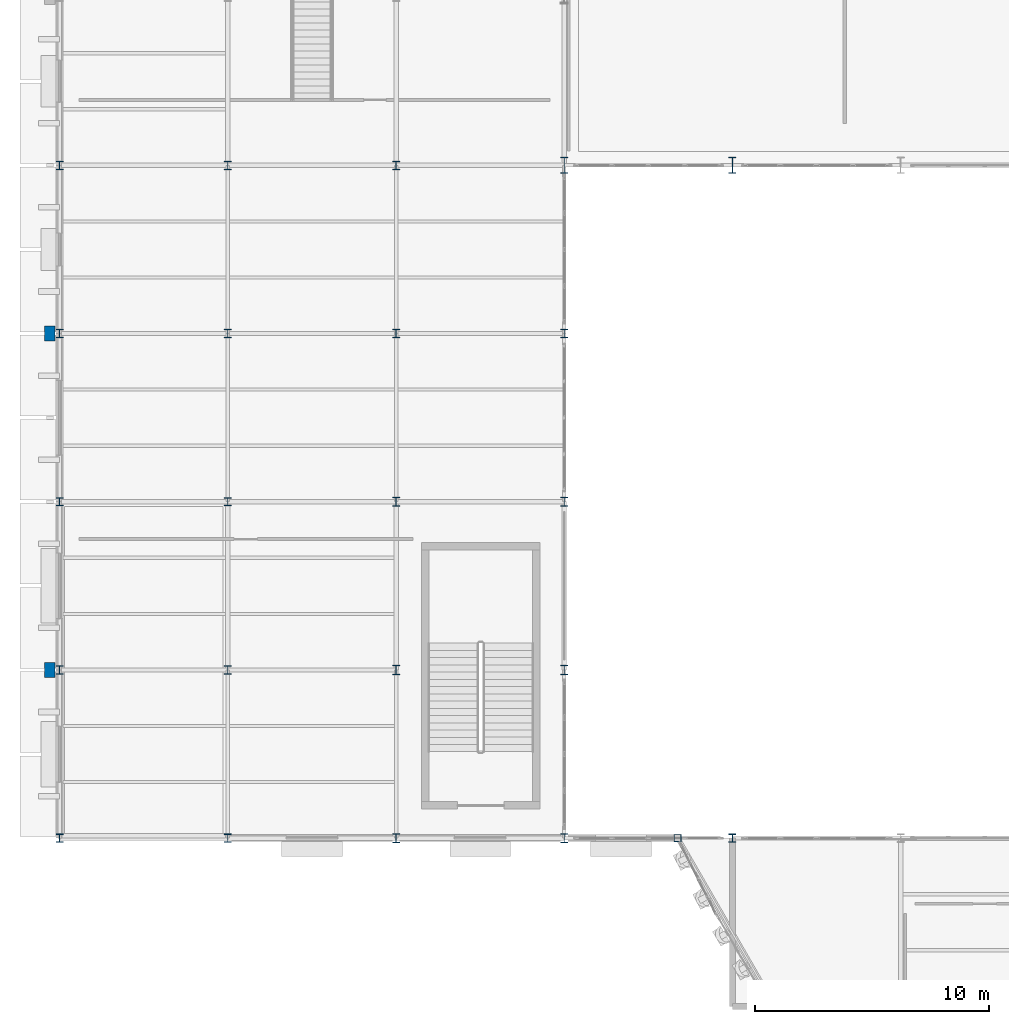
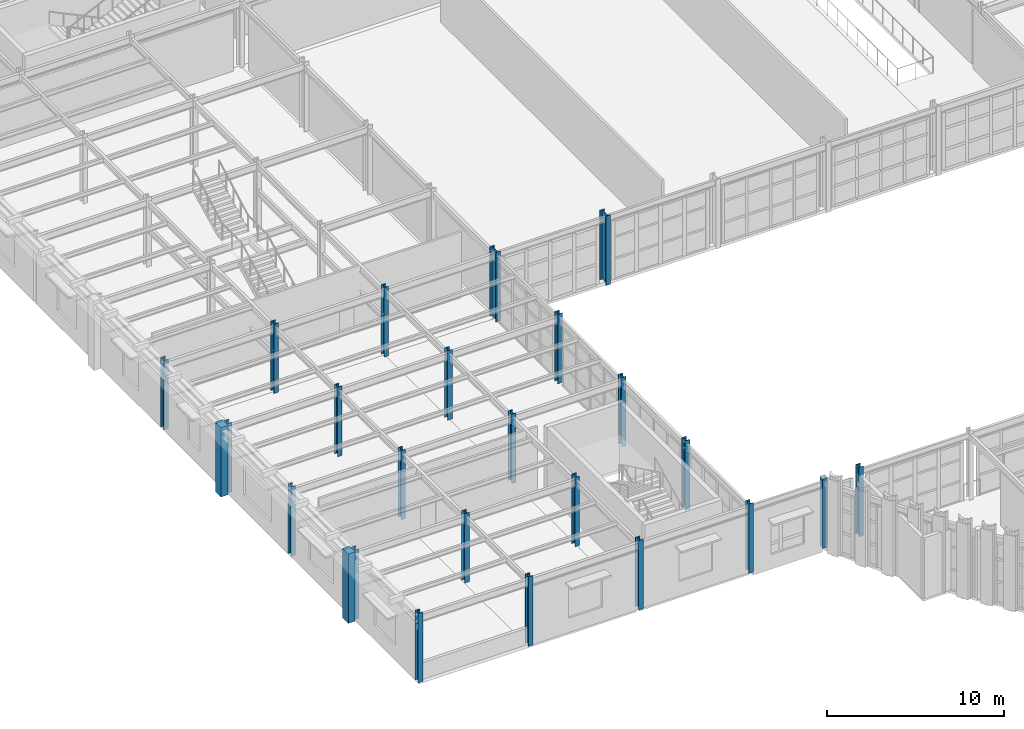
# One storey, part 2 of 126: 25 columns.
"""IFC4 building model written with IfcOpenShell, lengths in metres."""

from ifc_helpers import new_model, si_unit, direction, frame, origin, origin_2d, place, context, subcontext, project, spatial, rectangle, hollow_rectangle, i_section, extrude, material, material_profile, profile_set, type_object, element, save


model = new_model("IFC4")

# Units and contexts
model_context = context("Model", 3, precision=1e-05, world=origin(), true_north=direction((0.0, 1.0)))
body_context = subcontext(model_context, "Body", "Model", "MODEL_VIEW")
ifc_project = project(units=[si_unit("LENGTHUNIT", "METRE"), si_unit("AREAUNIT", "SQUARE_METRE"), si_unit("VOLUMEUNIT", "CUBIC_METRE"), si_unit("PLANEANGLEUNIT", "RADIAN"), si_unit("MASSUNIT", "GRAM", prefix="KILO")], contexts=[model_context])

# Site, building, storey
site_placement = place(None, origin())
site = spatial("IfcSite", under=ifc_project, at=site_placement, CompositionType="ELEMENT")
building_placement = place(site_placement, origin())
building = spatial("IfcBuilding", under=site, at=building_placement, Name="Solvadek Multi-Sports Hall", CompositionType="ELEMENT")
storey_placement = place(building_placement, frame((0.0, 0.0, 9.60009765625)))
storey = spatial("IfcBuildingStorey", under=building, at=storey_placement, Name="L02", CompositionType="ELEMENT", Elevation=9.60009765625)

# Columns
ifc_material_1 = material(Name="Steel E350 (350 MPa)", Category="steel")
ifc_material_profile_1 = material_profile(ifc_material_1, hollow_rectangle(XDim=0.300048828125, YDim=0.300048828125, WallThickness=0.012451171875, at=origin_2d()), Name="SHS 300x300x12.5")
ifc_profile_set_1 = profile_set([ifc_material_profile_1], Name="Steel E350 (350 MPa)")
column_type_1 = type_object("IfcColumnType", Name="STR-COL-SHS300", PredefinedType="COLUMN", material=ifc_profile_set_1)
column_placement = place(storey_placement, frame((26.45458984375, 20.39990234375, 0.0), z_axis=(0.0, 0.0, 1.0), x_axis=(1.0, 0.0, 0.0)))
element("IfcColumn", 1, at=column_placement, inside=storey, type_object=column_type_1, Name="L02 Column C-10 #266", PredefinedType="COLUMN", context=body_context, shape_type="SweptSolid", body=[
    extrude(hollow_rectangle(XDim=0.300048828125, YDim=0.300048828125, WallThickness=0.012451171875, at=origin_2d()), origin(), (0.0, 0.0, 1.0), 4.7998046875),
])
ifc_material_profile_2 = material_profile(ifc_material_1, i_section(OverallWidth=0.300048828125, OverallDepth=0.360107421875, WebThickness=0.012451171875, FlangeThickness=0.0224609375, at=origin_2d()), Name="WPB 360")
ifc_profile_set_2 = profile_set([ifc_material_profile_2], Name="Steel E350 (350 MPa)")
column_type_2 = type_object("IfcColumnType", Name="STR-COL-WPB360", PredefinedType="COLUMN", material=ifc_profile_set_2)
for number, where, z_axis, x_axis, name in (
    (2, (0.0, 20.39990234375, 0.0), (0.0, 0.0, 1.0), (1.0, 0.0, 0.0), "L02 Column C-08 #1"),
    (3, (0.0, 27.60009765625, 0.0), (0.0, 0.0, 1.0), (1.0, 0.0, 0.0), "L02 Column C-08 #2"),
    (4, (0.0, 34.800048828125, 0.0), (0.0, 0.0, 1.0), (1.0, 0.0, 0.0), "L02 Column C-08 #3"),
    (5, (0.0, 42.0, 0.0), (0.0, 0.0, 1.0), (1.0, 0.0, 0.0), "L02 Column C-08 #4"),
    (6, (0.0, 49.199951171875, 0.0), (0.0, 0.0, 1.0), (1.0, 0.0, 0.0), "L02 Column C-08 #5"),
    (7, (7.199951171875, 20.39990234375, 0.0), (0.0, 0.0, 1.0), (1.0, 0.0, 0.0), "L02 Column C-08 #14"),
    (8, (7.199951171875, 27.60009765625, 0.0), (0.0, 0.0, 1.0), (1.0, 0.0, 0.0), "L02 Column C-08 #15"),
    (9, (7.199951171875, 34.800048828125, 0.0), (0.0, 0.0, 1.0), (1.0, 0.0, 0.0), "L02 Column C-08 #16"),
    (10, (7.199951171875, 42.0, 0.0), (0.0, 0.0, 1.0), (1.0, 0.0, 0.0), "L02 Column C-08 #17"),
    (11, (7.199951171875, 49.199951171875, 0.0), (0.0, 0.0, 1.0), (1.0, 0.0, 0.0), "L02 Column C-08 #18"),
    (12, (14.39990234375, 42.0, 0.0), (0.0, 0.0, 1.0), (1.0, 0.0, 0.0), "L02 Column C-08 #30"),
    (13, (14.39990234375, 49.199951171875, 0.0), (0.0, 0.0, 1.0), (1.0, 0.0, 0.0), "L02 Column C-08 #31"),
    (14, (21.60009765625, 42.0, 0.0), (0.0, 0.0, 1.0), (1.0, 0.0, 0.0), "L02 Column C-08 #43"),
    (15, (28.800048828125, 20.39990234375, 0.0), (0.0, 0.0, 1.0), (1.0, 0.0, 0.0), "L02 Column C-08 #53"),
):
    element("IfcColumn", number, at=place(storey_placement, frame(where, z_axis=z_axis, x_axis=x_axis)), inside=storey, type_object=column_type_2, Name=name, PredefinedType="COLUMN", context=body_context, shape_type="SweptSolid", body=[
        extrude(i_section(OverallWidth=0.300048828125, OverallDepth=0.360107421875, WebThickness=0.012451171875, FlangeThickness=0.0224609375, at=origin_2d()), origin(), (0.0, 0.0, 1.0), 4.7998046875),
    ])
ifc_material_profile_3 = material_profile(ifc_material_1, i_section(OverallWidth=0.300048828125, OverallDepth=0.39990234375, WebThickness=0.013427734375, FlangeThickness=0.02392578125, at=origin_2d()), Name="WPB 400")
ifc_profile_set_3 = profile_set([ifc_material_profile_3], Name="Steel E350 (350 MPa)")
column_type_3 = type_object("IfcColumnType", Name="STR-COL-WPB400", PredefinedType="COLUMN", material=ifc_profile_set_3)
for number, where, z_axis, x_axis, name in (
    (16, (14.39990234375, 20.39990234375, 0.0), (0.0, 0.0, 1.0), (1.0, 0.0, 0.0), "L02 Column C-07 #27"),
    (17, (14.39990234375, 27.60009765625, 0.0), (0.0, 0.0, 1.0), (1.0, 0.0, 0.0), "L02 Column C-07 #28"),
    (18, (14.39990234375, 34.800048828125, 0.0), (0.0, 0.0, 1.0), (1.0, 0.0, 0.0), "L02 Column C-07 #29"),
    (19, (21.60009765625, 20.39990234375, 0.0), (0.0, 0.0, 1.0), (1.0, 0.0, 0.0), "L02 Column C-07 #40"),
    (20, (21.60009765625, 27.60009765625, 0.0), (0.0, 0.0, 1.0), (1.0, 0.0, 0.0), "L02 Column C-07 #41"),
    (21, (21.60009765625, 34.800048828125, 0.0), (0.0, 0.0, 1.0), (1.0, 0.0, 0.0), "L02 Column C-07 #42"),
):
    element("IfcColumn", number, at=place(storey_placement, frame(where, z_axis=z_axis, x_axis=x_axis)), inside=storey, type_object=column_type_3, Name=name, PredefinedType="COLUMN", context=body_context, shape_type="SweptSolid", body=[
        extrude(i_section(OverallWidth=0.300048828125, OverallDepth=0.39990234375, WebThickness=0.013427734375, FlangeThickness=0.02392578125, at=origin_2d()), origin(), (0.0, 0.0, 1.0), 4.7998046875),
    ])
ifc_material_profile_4 = material_profile(ifc_material_1, i_section(OverallWidth=0.300048828125, OverallDepth=0.699951171875, WebThickness=0.01708984375, FlangeThickness=0.031982421875, at=origin_2d()), Name="WPB 700")
ifc_profile_set_4 = profile_set([ifc_material_profile_4], Name="Steel E350 (350 MPa)")
column_type_4 = type_object("IfcColumnType", Name="STR-COL-WPB700", PredefinedType="COLUMN", material=ifc_profile_set_4)
for number, where, z_axis, x_axis, name in (
    (22, (21.60009765625, 49.199951171875, 0.0), (0.0, 0.0, 1.0), (1.0, 0.0, 0.0), "L02 Column C-02 #44"),
    (23, (28.800048828125, 49.199951171875, 0.0), (0.0, 0.0, 1.0), (1.0, 0.0, 0.0), "L02 Column C-02 #57"),
):
    element("IfcColumn", number, at=place(storey_placement, frame(where, z_axis=z_axis, x_axis=x_axis)), inside=storey, type_object=column_type_4, Name=name, PredefinedType="COLUMN", context=body_context, shape_type="SweptSolid", body=[
        extrude(i_section(OverallWidth=0.300048828125, OverallDepth=0.699951171875, WebThickness=0.01708984375, FlangeThickness=0.031982421875, at=origin_2d()), origin(), (0.0, 0.0, 1.0), 4.7998046875),
    ])
ifc_material_2 = material(Name="Precast concrete M40", Category="concrete")
ifc_material_profile_5 = material_profile(ifc_material_2, rectangle(XDim=0.449951171875, YDim=0.64990234375, at=origin_2d()), Name="RC PILASTER 650x450")
ifc_profile_set_5 = profile_set([ifc_material_profile_5], Name="Precast concrete M40")
column_type_5 = type_object("IfcColumnType", Name="STR-PIL-650X450", PredefinedType="PILASTER", material=ifc_profile_set_5)
for number, where, z_axis, x_axis, name in (
    (24, (-0.419921875, 27.60009765625, 0.0), (0.0, 0.0, 1.0), (1.0, 0.0, 0.0), "L02 Column CP-01 #312"),
    (25, (-0.419921875, 42.0, 0.0), (0.0, 0.0, 1.0), (1.0, 0.0, 0.0), "L02 Column CP-01 #313"),
):
    element("IfcColumn", number, at=place(storey_placement, frame(where, z_axis=z_axis, x_axis=x_axis)), inside=storey, type_object=column_type_5, Name=name, PredefinedType="PILASTER", context=body_context, shape_type="SweptSolid", body=[
        extrude(rectangle(XDim=0.449951171875, YDim=0.64990234375, at=origin_2d()), origin(), (0.0, 0.0, 1.0), 4.7998046875),
    ])

save(model, "model.ifc")
